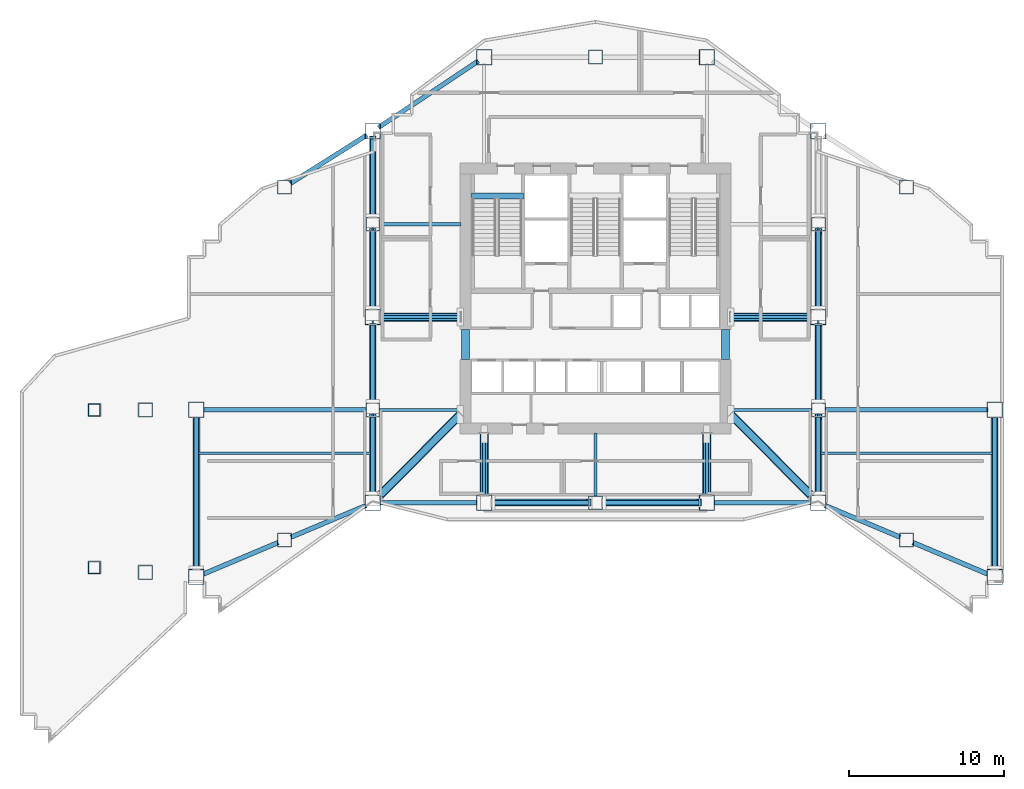
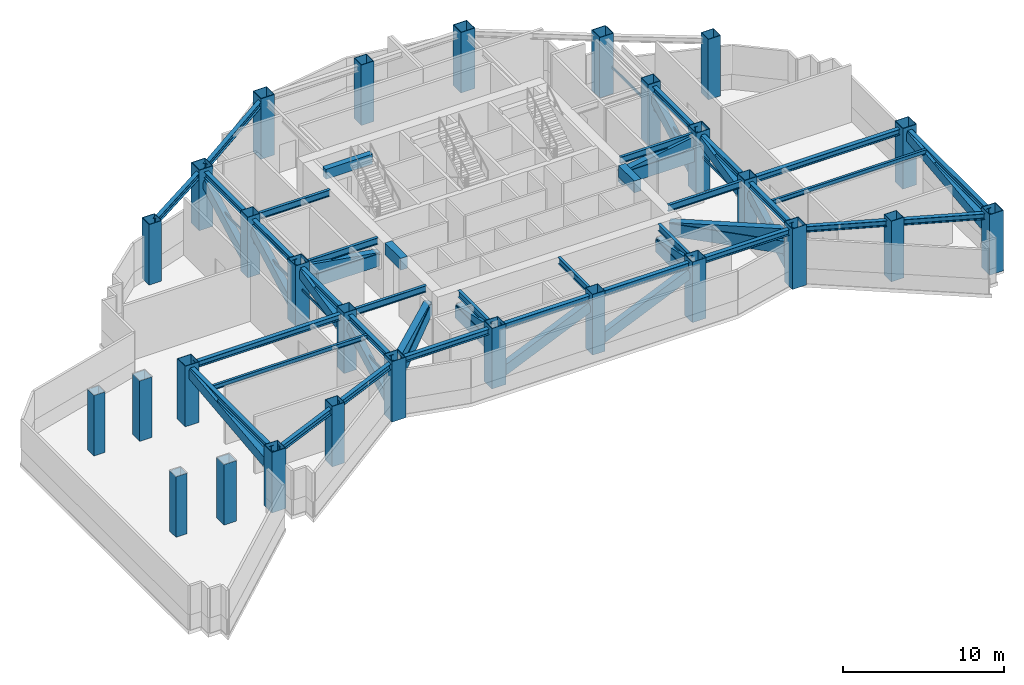
# One storey, part 1 of 24: 40 beams, 28 columns, 19 members.
"""IFC4 building model written with IfcOpenShell, lengths in metres."""

from ifc_helpers import new_model, si_unit, direction, frame, origin, origin_2d, place, context, subcontext, project, spatial, rectangle, hollow_rectangle, i_section, extrude, material, material_profile, profile_set, type_object, element, save


model = new_model("IFC4")

# Units and contexts
model_context = context("Model", 3, precision=1e-05, world=origin(), true_north=direction((0.0, 1.0)))
body_context = subcontext(model_context, "Body", "Model", "MODEL_VIEW")
ifc_project = project(units=[si_unit("LENGTHUNIT", "METRE"), si_unit("AREAUNIT", "SQUARE_METRE"), si_unit("VOLUMEUNIT", "CUBIC_METRE"), si_unit("PLANEANGLEUNIT", "RADIAN"), si_unit("MASSUNIT", "GRAM", prefix="KILO")], contexts=[model_context])

# Site, building, storey
site_placement = place(None, origin())
site = spatial("IfcSite", under=ifc_project, at=site_placement, CompositionType="ELEMENT")
building_placement = place(site_placement, origin())
building = spatial("IfcBuilding", under=site, at=building_placement, Name="Haolan Belvedere Tower", CompositionType="ELEMENT")
storey_placement = place(building_placement, frame((0.0, 0.0, 160.0)))
storey = spatial("IfcBuildingStorey", under=building, at=storey_placement, Name="L40", CompositionType="ELEMENT", Elevation=160.0)

# Columns
ifc_material_1 = material(Name="Steel Q420GJC", Category="steel")
ifc_material_profile_1 = material_profile(ifc_material_1, hollow_rectangle(XDim=1.0, YDim=1.0, WallThickness=0.0380859375, at=origin_2d()), Name="Steel Q420GJC")
ifc_profile_set_1 = profile_set([ifc_material_profile_1], Name="Steel Q420GJC")
column_type_1 = type_object("IfcColumnType", Name="COL-BOX1000x1000x38", PredefinedType="COLUMN", material=ifc_profile_set_1)
for number, where, z_axis, x_axis, name in (
    (1, (24.0, 21.60009765625, 0.0), (0.0, 0.0, 1.0), (1.0, 0.0, 0.0), "L40 column MC-T3-SW (BOX1000x1000x38)"),
    (2, (24.0, 33.60009765625, 0.0), (0.0, 0.0, 1.0), (1.0, 0.0, 0.0), "L40 column MC-T3-MW (BOX1000x1000x38)"),
    (3, (24.0, 45.60009765625, 0.0), (0.0, 0.0, 1.0), (1.0, 0.0, 0.0), "L40 column MC-T3-NW (BOX1000x1000x38)"),
    (4, (52.800048828125, 21.60009765625, 0.0), (0.0, 0.0, 1.0), (1.0, 0.0, 0.0), "L40 column MC-T3-SE (BOX1000x1000x38)"),
    (5, (52.800048828125, 33.60009765625, 0.0), (0.0, 0.0, 1.0), (1.0, 0.0, 0.0), "L40 column MC-T3-ME (BOX1000x1000x38)"),
    (6, (52.800048828125, 45.60009765625, 0.0), (0.0, 0.0, 1.0), (1.0, 0.0, 0.0), "L40 column MC-T3-NE (BOX1000x1000x38)"),
    (7, (31.199951171875, 21.60009765625, 0.0), (0.0, 0.0, 1.0), (1.0, 0.0, 0.0), "L40 column MC-T3-S1 (BOX1000x1000x38)"),
    (8, (45.60009765625, 21.60009765625, 0.0), (0.0, 0.0, 1.0), (1.0, 0.0, 0.0), "L40 column MC-T3-S2 (BOX1000x1000x38)"),
    (9, (31.199951171875, 50.39990234375, 0.0), (0.0, 0.0, 1.0), (1.0, 0.0, 0.0), "L40 column MC-T3-N1 (BOX1000x1000x38)"),
    (10, (45.60009765625, 50.39990234375, 0.0), (0.0, 0.0, 1.0), (1.0, 0.0, 0.0), "L40 column MC-T3-N2 (BOX1000x1000x38)"),
    (11, (12.60009765625, 16.800048828125, 0.0), (0.0, 0.0, 1.0), (1.0, 0.0, 0.0), "L40 column MC-T2-SW (BOX1000x1000x38)"),
    (12, (12.60009765625, 27.60009765625, 0.0), (0.0, 0.0, 1.0), (1.0, 0.0, 0.0), "L40 column MC-T2-MW (BOX1000x1000x38)"),
    (13, (64.199951171875, 16.800048828125, 0.0), (0.0, 0.0, 1.0), (1.0, 0.0, 0.0), "L40 column MC-T4-SE (BOX1000x1000x38)"),
    (14, (64.199951171875, 27.60009765625, 0.0), (0.0, 0.0, 1.0), (1.0, 0.0, 0.0), "L40 column MC-T4-ME (BOX1000x1000x38)"),
):
    element("IfcColumn", number, at=place(storey_placement, frame(where, z_axis=z_axis, x_axis=x_axis)), inside=storey, type_object=column_type_1, Name=name, PredefinedType="COLUMN", context=body_context, shape_type="SweptSolid", body=[
        extrude(hollow_rectangle(XDim=1.0, YDim=1.0, WallThickness=0.0380859375, at=origin_2d()), origin(), (0.0, 0.0, 1.0), 4.60009765625),
    ])
ifc_material_2 = material(Name="Steel Q390GJC", Category="steel")
ifc_material_profile_2 = material_profile(ifc_material_2, hollow_rectangle(XDim=0.800048828125, YDim=0.800048828125, WallThickness=0.030029296875, at=origin_2d()), Name="Steel Q390GJC")
ifc_profile_set_2 = profile_set([ifc_material_profile_2], Name="Steel Q390GJC")
column_type_2 = type_object("IfcColumnType", Name="COL-BOX800x800x30", PredefinedType="COLUMN", material=ifc_profile_set_2)
for number, where, z_axis, x_axis, name in (
    (15, (6.0, 17.39990234375, 0.0), (0.0, 0.0, 1.0), (1.0, 0.0, 0.0), "L40 column MC-T1-SW (BOX800x800x30)"),
    (16, (6.0, 27.60009765625, 0.0), (0.0, 0.0, 1.0), (1.0, 0.0, 0.0), "L40 column MC-T1-NW (BOX800x800x30)"),
):
    element("IfcColumn", number, at=place(storey_placement, frame(where, z_axis=z_axis, x_axis=x_axis)), inside=storey, type_object=column_type_2, Name=name, PredefinedType="COLUMN", context=body_context, shape_type="SweptSolid", body=[
        extrude(hollow_rectangle(XDim=0.800048828125, YDim=0.800048828125, WallThickness=0.030029296875, at=origin_2d()), origin(), (0.0, 0.0, 1.0), 4.60009765625),
    ])
ifc_material_profile_3 = material_profile(ifc_material_2, hollow_rectangle(XDim=0.89990234375, YDim=0.89990234375, WallThickness=0.033935546875, at=origin_2d()), Name="Steel Q390GJC")
ifc_profile_set_3 = profile_set([ifc_material_profile_3], Name="Steel Q390GJC")
column_type_3 = type_object("IfcColumnType", Name="COL-BOX900x900x34", PredefinedType="COLUMN", material=ifc_profile_set_3)
for number, where, z_axis, x_axis, name in (
    (17, (24.0, 27.60009765625, 0.0), (0.0, 0.0, 1.0), (1.0, 0.0, 0.0), "L40 column TC-T3-W1 (BOX900x900x34)"),
    (18, (24.0, 39.60009765625, 0.0), (0.0, 0.0, 1.0), (1.0, 0.0, 0.0), "L40 column TC-T3-W2 (BOX900x900x34)"),
    (19, (52.800048828125, 27.60009765625, 0.0), (0.0, 0.0, 1.0), (1.0, 0.0, 0.0), "L40 column TC-T3-E1 (BOX900x900x34)"),
    (20, (52.800048828125, 39.60009765625, 0.0), (0.0, 0.0, 1.0), (1.0, 0.0, 0.0), "L40 column TC-T3-E2 (BOX900x900x34)"),
    (21, (38.39990234375, 21.60009765625, 0.0), (0.0, 0.0, 1.0), (1.0, 0.0, 0.0), "L40 column TC-T3-SM (BOX900x900x34)"),
    (22, (38.39990234375, 50.39990234375, 0.0), (0.0, 0.0, 1.0), (1.0, 0.0, 0.0), "L40 column TC-T3-NM (BOX900x900x34)"),
    (23, (18.300048828125, 19.199951171875, 0.0), (0.0, 0.0, 1.0), (1.0, 0.0, 0.0), "L40 column TC-T2-S1 (BOX900x900x34)"),
    (24, (18.300048828125, 42.0, 0.0), (0.0, 0.0, 1.0), (1.0, 0.0, 0.0), "L40 column TC-T2-N1 (BOX900x900x34)"),
    (25, (58.5, 19.199951171875, 0.0), (0.0, 0.0, 1.0), (1.0, 0.0, 0.0), "L40 column TC-T4-S1 (BOX900x900x34)"),
    (26, (58.5, 42.0, 0.0), (0.0, 0.0, 1.0), (1.0, 0.0, 0.0), "L40 column TC-T4-N1 (BOX900x900x34)"),
    (27, (9.300048828125, 17.10009765625, 0.0), (0.0, 0.0, 1.0), (1.0, 0.0, 0.0), "L40 column TC-T1-M1 (BOX900x900x34)"),
    (28, (9.300048828125, 27.60009765625, 0.0), (0.0, 0.0, 1.0), (1.0, 0.0, 0.0), "L40 column TC-T1-M2 (BOX900x900x34)"),
):
    element("IfcColumn", number, at=place(storey_placement, frame(where, z_axis=z_axis, x_axis=x_axis)), inside=storey, type_object=column_type_3, Name=name, PredefinedType="COLUMN", context=body_context, shape_type="SweptSolid", body=[
        extrude(hollow_rectangle(XDim=0.89990234375, YDim=0.89990234375, WallThickness=0.033935546875, at=origin_2d()), origin(), (0.0, 0.0, 1.0), 4.60009765625),
    ])

# Beams
ifc_material_profile_4 = material_profile(ifc_material_1, hollow_rectangle(XDim=0.550048828125, YDim=0.949951171875, WallThickness=0.033935546875, at=origin_2d()), Name="Steel Q420GJC")
ifc_profile_set_4 = profile_set([ifc_material_profile_4], Name="Steel Q420GJC")
beam_type_1 = type_object("IfcBeamType", Name="BM-BOX950x550x34", PredefinedType="BEAM", material=ifc_profile_set_4)
beam_1_placement = place(storey_placement, frame((29.679931640625, 33.60009765625, 2.780029296875), z_axis=(-1.0, 0.0, 0.0), x_axis=(0.0, -1.0, 0.0)))
element("IfcBeam", 29, at=beam_1_placement, inside=storey, type_object=beam_type_1, Name="L40 core outrigger lower portal chord OR-W1", PredefinedType="BEAM", context=body_context, shape_type="SweptSolid", body=[
    extrude(hollow_rectangle(XDim=0.550048828125, YDim=0.949951171875, WallThickness=0.033935546875, at=origin_2d()), origin(), (0.0, 0.0, 1.0), 5.2099609375),
])
beam_2_placement = place(storey_placement, frame((29.671142578125, 27.3212890625, 2.780029296875), z_axis=(-0.703974405981, -0.71022534151, 0.0), x_axis=(0.71022534151, -0.703974405981, 0.0)))
element("IfcBeam", 30, at=beam_2_placement, inside=storey, type_object=beam_type_1, Name="L40 core outrigger lower portal chord OR-W2", PredefinedType="BEAM", context=body_context, shape_type="SweptSolid", body=[
    extrude(hollow_rectangle(XDim=0.550048828125, YDim=0.949951171875, WallThickness=0.033935546875, at=origin_2d()), origin(), (0.0, 0.0, 1.0), 7.381591796875),
])
beam_3_placement = place(storey_placement, frame((47.1201171875, 33.60009765625, 2.780029296875), z_axis=(1.0, 0.0, 0.0), x_axis=(0.0, 1.0, 0.0)))
element("IfcBeam", 31, at=beam_3_placement, inside=storey, type_object=beam_type_1, Name="L40 core outrigger lower portal chord OR-E1", PredefinedType="BEAM", context=body_context, shape_type="SweptSolid", body=[
    extrude(hollow_rectangle(XDim=0.550048828125, YDim=0.949951171875, WallThickness=0.033935546875, at=origin_2d()), origin(), (0.0, 0.0, 1.0), 5.2099609375),
])
beam_4_placement = place(storey_placement, frame((47.12890625, 27.3212890625, 2.780029296875), z_axis=(0.703974405981, -0.71022534151, 0.0), x_axis=(0.71022534151, 0.703974405981, 0.0)))
element("IfcBeam", 32, at=beam_4_placement, inside=storey, type_object=beam_type_1, Name="L40 core outrigger lower portal chord OR-E2", PredefinedType="BEAM", context=body_context, shape_type="SweptSolid", body=[
    extrude(hollow_rectangle(XDim=0.550048828125, YDim=0.949951171875, WallThickness=0.033935546875, at=origin_2d()), origin(), (0.0, 0.0, 1.0), 7.381591796875),
])
for number, where, z_axis, x_axis, name in (
    (33, (31.199951171875, 26.080078125, 2.780029296875), (0.0, -1.0, 0.0), (1.0, 0.0, 0.0), "L40 core outrigger lower portal chord OR-S1"),
    (34, (45.60009765625, 26.080078125, 2.780029296875), (0.0, -1.0, 0.0), (1.0, 0.0, 0.0), "L40 core outrigger lower portal chord OR-S2"),
):
    element("IfcBeam", number, at=place(storey_placement, frame(where, z_axis=z_axis, x_axis=x_axis)), inside=storey, type_object=beam_type_1, Name=name, PredefinedType="BEAM", context=body_context, shape_type="SweptSolid", body=[
        extrude(hollow_rectangle(XDim=0.550048828125, YDim=0.949951171875, WallThickness=0.033935546875, at=origin_2d()), origin(), (0.0, 0.0, 1.0), 4.010009765625),
    ])
ifc_material_3 = material(Name="Steel Q355B", Category="steel")
ifc_material_profile_5 = material_profile(ifc_material_3, i_section(OverallWidth=0.300048828125, OverallDepth=0.43994140625, WebThickness=0.010986328125, FlangeThickness=0.01806640625, FilletRadius=0.02392578125, at=origin_2d()), Name="Steel Q355B")
ifc_profile_set_5 = profile_set([ifc_material_profile_5], Name="Steel Q355B")
beam_type_2 = type_object("IfcBeamType", Name="BM-HM440x300x11x18", PredefinedType="SPANDREL", material=ifc_profile_set_5)
for number, where, z_axis, x_axis, name in (
    (35, (24.0, 22.050048828125, 4.1298828125), (0.0, 1.0, 0.0), (-1.0, 0.0, 0.0), "L40 spandrel girder MC-T3-SW-TC-T3-W1"),
    (36, (24.0, 28.050048828125, 4.1298828125), (0.0, 1.0, 0.0), (-1.0, 0.0, 0.0), "L40 spandrel girder TC-T3-W1-MC-T3-MW"),
    (37, (24.0, 34.050048828125, 4.1298828125), (0.0, 1.0, 0.0), (-1.0, 0.0, 0.0), "L40 spandrel girder MC-T3-MW-TC-T3-W2"),
    (38, (24.0, 40.050048828125, 4.1298828125), (0.0, 1.0, 0.0), (-1.0, 0.0, 0.0), "L40 spandrel girder TC-T3-W2-MC-T3-NW"),
    (39, (52.800048828125, 22.050048828125, 4.1298828125), (0.0, 1.0, 0.0), (-1.0, 0.0, 0.0), "L40 spandrel girder MC-T3-SE-TC-T3-E1"),
    (40, (52.800048828125, 28.050048828125, 4.1298828125), (0.0, 1.0, 0.0), (-1.0, 0.0, 0.0), "L40 spandrel girder TC-T3-E1-MC-T3-ME"),
    (41, (52.800048828125, 34.050048828125, 4.1298828125), (0.0, 1.0, 0.0), (-1.0, 0.0, 0.0), "L40 spandrel girder MC-T3-ME-TC-T3-E2"),
):
    element("IfcBeam", number, at=place(storey_placement, frame(where, z_axis=z_axis, x_axis=x_axis)), inside=storey, type_object=beam_type_2, Name=name, PredefinedType="SPANDREL", context=body_context, shape_type="SweptSolid", body=[
        extrude(i_section(OverallWidth=0.300048828125, OverallDepth=0.43994140625, WebThickness=0.010986328125, FlangeThickness=0.01806640625, FilletRadius=0.02392578125, at=origin_2d()), origin(), (0.0, 0.0, 1.0), 5.099853515625),
    ])
for number, where, z_axis, x_axis, name in (
    (42, (24.449951171875, 21.60009765625, 4.1298828125), (1.0, 0.0, 0.0), (0.0, 1.0, 0.0), "L40 spandrel girder MC-T3-SW-MC-T3-S1"),
    (43, (31.64990234375, 21.60009765625, 4.1298828125), (1.0, 0.0, 0.0), (0.0, 1.0, 0.0), "L40 spandrel girder MC-T3-S1-TC-T3-SM"),
):
    element("IfcBeam", number, at=place(storey_placement, frame(where, z_axis=z_axis, x_axis=x_axis)), inside=storey, type_object=beam_type_2, Name=name, PredefinedType="SPANDREL", context=body_context, shape_type="SweptSolid", body=[
        extrude(i_section(OverallWidth=0.300048828125, OverallDepth=0.43994140625, WebThickness=0.010986328125, FlangeThickness=0.01806640625, FilletRadius=0.02392578125, at=origin_2d()), origin(), (0.0, 0.0, 1.0), 6.300048828125),
    ])
beam_5_placement = place(storey_placement, frame((38.85009765625, 21.60009765625, 4.1298828125), z_axis=(1.0, 0.0, 0.0), x_axis=(0.0, 1.0, 0.0)))
element("IfcBeam", 44, at=beam_5_placement, inside=storey, type_object=beam_type_2, Name="L40 spandrel girder TC-T3-SM-MC-T3-S2", PredefinedType="SPANDREL", context=body_context, shape_type="SweptSolid", body=[
    extrude(i_section(OverallWidth=0.300048828125, OverallDepth=0.43994140625, WebThickness=0.010986328125, FlangeThickness=0.01806640625, FilletRadius=0.02392578125, at=origin_2d()), origin(), (0.0, 0.0, 1.0), 6.2998046875),
])
beam_6_placement = place(storey_placement, frame((46.050048828125, 21.60009765625, 4.1298828125), z_axis=(1.0, 0.0, 0.0), x_axis=(0.0, 1.0, 0.0)))
element("IfcBeam", 45, at=beam_6_placement, inside=storey, type_object=beam_type_2, Name="L40 spandrel girder MC-T3-S2-MC-T3-SE", PredefinedType="SPANDREL", context=body_context, shape_type="SweptSolid", body=[
    extrude(i_section(OverallWidth=0.300048828125, OverallDepth=0.43994140625, WebThickness=0.010986328125, FlangeThickness=0.01806640625, FilletRadius=0.02392578125, at=origin_2d()), origin(), (0.0, 0.0, 1.0), 6.300048828125),
])
beam_7_placement = place(storey_placement, frame((24.37451171875, 45.849609375, 4.1298828125), z_axis=(0.832050294338, 0.554700196225, 0.0), x_axis=(-0.554700196225, 0.832050294338, 0.0)))
element("IfcBeam", 46, at=beam_7_placement, inside=storey, type_object=beam_type_2, Name="L40 spandrel girder MC-T3-NW-MC-T3-N1", PredefinedType="SPANDREL", context=body_context, shape_type="SweptSolid", body=[
    extrude(i_section(OverallWidth=0.300048828125, OverallDepth=0.43994140625, WebThickness=0.010986328125, FlangeThickness=0.01806640625, FilletRadius=0.02392578125, at=origin_2d()), origin(), (0.0, 0.0, 1.0), 7.75341796875),
])
beam_8_placement = place(storey_placement, frame((12.60009765625, 17.25, 4.1298828125), z_axis=(0.0, 1.0, 0.0), x_axis=(-1.0, 0.0, 0.0)))
element("IfcBeam", 47, at=beam_8_placement, inside=storey, type_object=beam_type_2, Name="L40 spandrel girder MC-T2-SW-MC-T2-MW", PredefinedType="SPANDREL", context=body_context, shape_type="SweptSolid", body=[
    extrude(i_section(OverallWidth=0.300048828125, OverallDepth=0.43994140625, WebThickness=0.010986328125, FlangeThickness=0.01806640625, FilletRadius=0.02392578125, at=origin_2d()), origin(), (0.0, 0.0, 1.0), 9.89990234375),
])
beam_9_placement = place(storey_placement, frame((13.0146484375, 16.974609375, 4.1298828125), z_axis=(0.921635375138, 0.388057000058, 0.0), x_axis=(-0.388057000058, 0.921635375138, 0.0)))
element("IfcBeam", 48, at=beam_9_placement, inside=storey, type_object=beam_type_2, Name="L40 spandrel girder MC-T2-SW-TC-T2-S1", PredefinedType="SPANDREL", context=body_context, shape_type="SweptSolid", body=[
    extrude(i_section(OverallWidth=0.300048828125, OverallDepth=0.43994140625, WebThickness=0.010986328125, FlangeThickness=0.01806640625, FilletRadius=0.02392578125, at=origin_2d()), origin(), (0.0, 0.0, 1.0), 5.28466796875),
])
beam_10_placement = place(storey_placement, frame((18.71484375, 19.37451171875, 4.1298828125), z_axis=(0.92162841793, 0.388073523014, 0.0), x_axis=(-0.388073523014, 0.92162841793, 0.0)))
element("IfcBeam", 49, at=beam_10_placement, inside=storey, type_object=beam_type_2, Name="L40 spandrel girder TC-T2-S1-MC-T3-SW", PredefinedType="SPANDREL", context=body_context, shape_type="SweptSolid", body=[
    extrude(i_section(OverallWidth=0.300048828125, OverallDepth=0.43994140625, WebThickness=0.010986328125, FlangeThickness=0.01806640625, FilletRadius=0.02392578125, at=origin_2d()), origin(), (0.0, 0.0, 1.0), 5.284423828125),
])
beam_11_placement = place(storey_placement, frame((18.680419921875, 42.240234375, 4.1298828125), z_axis=(0.845497840649, 0.533978839898, 0.0), x_axis=(-0.533978839898, 0.845497840649, 0.0)))
element("IfcBeam", 50, at=beam_11_placement, inside=storey, type_object=beam_type_2, Name="L40 spandrel girder TC-T2-N1-MC-T3-NW", PredefinedType="SPANDREL", context=body_context, shape_type="SweptSolid", body=[
    extrude(i_section(OverallWidth=0.300048828125, OverallDepth=0.43994140625, WebThickness=0.010986328125, FlangeThickness=0.01806640625, FilletRadius=0.02392578125, at=origin_2d()), origin(), (0.0, 0.0, 1.0), 5.841796875),
])
beam_12_placement = place(storey_placement, frame((13.050048828125, 27.60009765625, 4.1298828125), z_axis=(1.0, 0.0, 0.0), x_axis=(0.0, 1.0, 0.0)))
element("IfcBeam", 51, at=beam_12_placement, inside=storey, type_object=beam_type_2, Name="L40 spandrel girder MC-T2-MW-TC-T3-W1", PredefinedType="SPANDREL", context=body_context, shape_type="SweptSolid", body=[
    extrude(i_section(OverallWidth=0.300048828125, OverallDepth=0.43994140625, WebThickness=0.010986328125, FlangeThickness=0.01806640625, FilletRadius=0.02392578125, at=origin_2d()), origin(), (0.0, 0.0, 1.0), 10.5),
])
beam_13_placement = place(storey_placement, frame((64.199951171875, 17.25, 4.1298828125), z_axis=(0.0, 1.0, 0.0), x_axis=(-1.0, 0.0, 0.0)))
element("IfcBeam", 52, at=beam_13_placement, inside=storey, type_object=beam_type_2, Name="L40 spandrel girder MC-T4-SE-MC-T4-ME", PredefinedType="SPANDREL", context=body_context, shape_type="SweptSolid", body=[
    extrude(i_section(OverallWidth=0.300048828125, OverallDepth=0.43994140625, WebThickness=0.010986328125, FlangeThickness=0.01806640625, FilletRadius=0.02392578125, at=origin_2d()), origin(), (0.0, 0.0, 1.0), 9.89990234375),
])
for number, where, z_axis, x_axis, name in (
    (53, (53.21484375, 21.42529296875, 4.1298828125), (0.92162841793, -0.388073523014, 0.0), (0.388073523014, 0.92162841793, 0.0), "L40 spandrel girder MC-T3-SE-TC-T4-S1"),
    (54, (58.914794921875, 19.025390625, 4.1298828125), (0.92162841793, -0.388073523014, 0.0), (0.388073523014, 0.92162841793, 0.0), "L40 spandrel girder TC-T4-S1-MC-T4-SE"),
):
    element("IfcBeam", number, at=place(storey_placement, frame(where, z_axis=z_axis, x_axis=x_axis)), inside=storey, type_object=beam_type_2, Name=name, PredefinedType="SPANDREL", context=body_context, shape_type="SweptSolid", body=[
        extrude(i_section(OverallWidth=0.300048828125, OverallDepth=0.43994140625, WebThickness=0.010986328125, FlangeThickness=0.01806640625, FilletRadius=0.02392578125, at=origin_2d()), origin(), (0.0, 0.0, 1.0), 5.284423828125),
    ])
beam_14_placement = place(storey_placement, frame((53.25, 27.60009765625, 4.1298828125), z_axis=(1.0, 0.0, 0.0), x_axis=(0.0, 1.0, 0.0)))
element("IfcBeam", 55, at=beam_14_placement, inside=storey, type_object=beam_type_2, Name="L40 spandrel girder TC-T3-E1-MC-T4-ME", PredefinedType="SPANDREL", context=body_context, shape_type="SweptSolid", body=[
    extrude(i_section(OverallWidth=0.300048828125, OverallDepth=0.43994140625, WebThickness=0.010986328125, FlangeThickness=0.01806640625, FilletRadius=0.02392578125, at=origin_2d()), origin(), (0.0, 0.0, 1.0), 10.5),
])
ifc_material_profile_6 = material_profile(ifc_material_3, i_section(OverallWidth=0.175048828125, OverallDepth=0.35009765625, WebThickness=0.007080078125, FlangeThickness=0.010986328125, FilletRadius=0.012939453125, at=origin_2d()), Name="Steel Q355B")
ifc_profile_set_6 = profile_set([ifc_material_profile_6], Name="Steel Q355B")
beam_type_3 = type_object("IfcBeamType", Name="BM-HN350x175x7x11", PredefinedType="JOIST", material=ifc_profile_set_6)
for number, where, z_axis, x_axis, name in (
    (56, (12.75, 24.800048828125, 4.175048828125), (1.0, 0.0, 0.0), (0.0, 1.0, 0.0), "L40 west wing floor joist 1"),
    (57, (52.949951171875, 24.800048828125, 4.175048828125), (1.0, 0.0, 0.0), (0.0, 1.0, 0.0), "L40 east wing floor joist 1"),
):
    element("IfcBeam", number, at=place(storey_placement, frame(where, z_axis=z_axis, x_axis=x_axis)), inside=storey, type_object=beam_type_3, Name=name, PredefinedType="JOIST", context=body_context, shape_type="SweptSolid", body=[
        extrude(i_section(OverallWidth=0.175048828125, OverallDepth=0.35009765625, WebThickness=0.007080078125, FlangeThickness=0.010986328125, FilletRadius=0.012939453125, at=origin_2d()), origin(), (0.0, 0.0, 1.0), 11.10009765625),
    ])
ifc_material_profile_7 = material_profile(ifc_material_3, i_section(OverallWidth=0.199951171875, OverallDepth=0.5, WebThickness=0.010009765625, FlangeThickness=0.01611328125, FilletRadius=0.02001953125, at=origin_2d()), Name="Steel Q355B")
ifc_profile_set_7 = profile_set([ifc_material_profile_7], Name="Steel Q355B")
beam_type_4 = type_object("IfcBeamType", Name="BM-HN500x200x10x16", PredefinedType="BEAM", material=ifc_profile_set_7)
for number, where, z_axis, x_axis, name in (
    (58, (24.449951171875, 33.60009765625, 4.10009765625), (1.0, 0.0, 0.0), (0.0, 1.0, 0.0), "L40 core tie beam from MC-T3-MW"),
    (59, (24.449951171875, 27.60009765625, 4.10009765625), (1.0, 0.0, 0.0), (0.0, 1.0, 0.0), "L40 core tie beam from TC-T3-W1"),
    (60, (24.449951171875, 39.60009765625, 4.10009765625), (1.0, 0.0, 0.0), (0.0, 1.0, 0.0), "L40 core tie beam from TC-T3-W2"),
    (61, (52.35009765625, 33.60009765625, 4.10009765625), (-1.0, 0.0, 0.0), (0.0, -1.0, 0.0), "L40 core tie beam from MC-T3-ME"),
    (62, (52.35009765625, 27.60009765625, 4.10009765625), (-1.0, 0.0, 0.0), (0.0, -1.0, 0.0), "L40 core tie beam from TC-T3-E1"),
):
    element("IfcBeam", number, at=place(storey_placement, frame(where, z_axis=z_axis, x_axis=x_axis)), inside=storey, type_object=beam_type_4, Name=name, PredefinedType="BEAM", context=body_context, shape_type="SweptSolid", body=[
        extrude(i_section(OverallWidth=0.199951171875, OverallDepth=0.5, WebThickness=0.010009765625, FlangeThickness=0.01611328125, FilletRadius=0.02001953125, at=origin_2d()), origin(), (0.0, 0.0, 1.0), 5.25),
    ])
for number, where, z_axis, x_axis, name in (
    (63, (31.199951171875, 22.050048828125, 4.10009765625), (0.0, 1.0, 0.0), (-1.0, 0.0, 0.0), "L40 core tie beam from MC-T3-S1"),
    (64, (38.39990234375, 22.050048828125, 4.10009765625), (0.0, 1.0, 0.0), (-1.0, 0.0, 0.0), "L40 core tie beam from TC-T3-SM"),
    (65, (45.60009765625, 22.050048828125, 4.10009765625), (0.0, 1.0, 0.0), (-1.0, 0.0, 0.0), "L40 core tie beam from MC-T3-S2"),
):
    element("IfcBeam", number, at=place(storey_placement, frame(where, z_axis=z_axis, x_axis=x_axis)), inside=storey, type_object=beam_type_4, Name=name, PredefinedType="BEAM", context=body_context, shape_type="SweptSolid", body=[
        extrude(i_section(OverallWidth=0.199951171875, OverallDepth=0.5, WebThickness=0.010009765625, FlangeThickness=0.01611328125, FilletRadius=0.02001953125, at=origin_2d()), origin(), (0.0, 0.0, 1.0), 4.050048828125),
    ])
ifc_material_4 = material(Name="Concrete C50/60", Category="concrete")
ifc_material_profile_8 = material_profile(ifc_material_4, rectangle(XDim=0.39990234375, YDim=0.75, at=origin_2d()), Name="Concrete C50/60")
ifc_profile_set_8 = profile_set([ifc_material_profile_8], Name="Concrete C50/60")
beam_type_5 = type_object("IfcBeamType", Name="BM-RC400x750", PredefinedType="T_BEAM", material=ifc_profile_set_8)
beam_15_placement = place(storey_placement, frame((30.3798828125, 41.429931640625, 4.22509765625), z_axis=(1.0, 0.0, 0.0), x_axis=(0.0, 1.0, 0.0)))
element("IfcBeam", 66, at=beam_15_placement, inside=storey, type_object=beam_type_5, Name="L41 stair ST1 RC header trimmer beam", PredefinedType="BEAM", context=body_context, shape_type="SweptSolid", body=[
    extrude(rectangle(XDim=0.39990234375, YDim=0.75, at=origin_2d()), origin(), (0.0, 0.0, 1.0), 3.360107421875),
])
ifc_material_5 = material(Name="Concrete C60/75", Category="concrete")
ifc_material_profile_9 = material_profile(ifc_material_5, rectangle(XDim=0.5, YDim=0.89990234375, at=origin_2d()), Name="Concrete C60/75")
ifc_profile_set_9 = profile_set([ifc_material_profile_9], Name="Concrete C60/75")
beam_type_6 = type_object("IfcBeamType", Name="BM-RC500x900", PredefinedType="LINTEL", material=ifc_profile_set_9)
for number, where, z_axis, x_axis, name in (
    (67, (30.0, 30.85009765625, 3.89990234375), (0.0, 1.0, 0.0), (-1.0, 0.0, 0.0), "L40 west core coupling beam CB-01"),
    (68, (46.800048828125, 30.85009765625, 3.89990234375), (0.0, 1.0, 0.0), (-1.0, 0.0, 0.0), "L40 east core coupling beam CB-01"),
):
    element("IfcBeam", number, at=place(storey_placement, frame(where, z_axis=z_axis, x_axis=x_axis)), inside=storey, type_object=beam_type_6, Name=name, PredefinedType="LINTEL", context=body_context, shape_type="SweptSolid", body=[
        extrude(rectangle(XDim=0.5, YDim=0.89990234375, at=origin_2d()), origin(), (0.0, 0.0, 1.0), 1.949951171875),
    ])

# Members
ifc_material_profile_10 = material_profile(ifc_material_2, hollow_rectangle(XDim=0.449951171875, YDim=0.75, WallThickness=0.028076171875, at=origin_2d()), Name="Steel Q390GJC")
ifc_profile_set_10 = profile_set([ifc_material_profile_10], Name="Steel Q390GJC")
member_type_1 = type_object("IfcMemberType", Name="MEM-BOX750x450x28", PredefinedType="BRACE", material=ifc_profile_set_10)
member_1_placement = place(storey_placement, frame((29.679931640625, 33.60009765625, 2.919921875), z_axis=(-0.986338904149, 0.0, 0.164728765435), x_axis=(0.0, -1.0, 0.0)))
element("IfcMember", 69, at=member_1_placement, inside=storey, type_object=member_type_1, Name="L40 core outrigger brace OR-W1", PredefinedType="BRACE", context=body_context, shape_type="SweptSolid", body=[
    extrude(hollow_rectangle(XDim=0.449951171875, YDim=0.75, WallThickness=0.028076171875, at=origin_2d()), origin(), (0.0, 0.0, 1.0), 5.2822265625),
])
member_2_placement = place(storey_placement, frame((29.671142578125, 27.3212890625, 2.919921875), z_axis=(-0.69913411414, -0.705342070333, 0.117064316786), x_axis=(0.71022534151, -0.703974405981, 0.0)))
element("IfcMember", 70, at=member_2_placement, inside=storey, type_object=member_type_1, Name="L40 core outrigger brace OR-W2", PredefinedType="BRACE", context=body_context, shape_type="SweptSolid", body=[
    extrude(hollow_rectangle(XDim=0.449951171875, YDim=0.75, WallThickness=0.028076171875, at=origin_2d()), origin(), (0.0, 0.0, 1.0), 7.432861328125),
])
member_3_placement = place(storey_placement, frame((47.1201171875, 33.60009765625, 2.919921875), z_axis=(0.986338904149, 0.0, 0.164728765435), x_axis=(0.0, 1.0, 0.0)))
element("IfcMember", 71, at=member_3_placement, inside=storey, type_object=member_type_1, Name="L40 core outrigger brace OR-E1", PredefinedType="BRACE", context=body_context, shape_type="SweptSolid", body=[
    extrude(hollow_rectangle(XDim=0.449951171875, YDim=0.75, WallThickness=0.028076171875, at=origin_2d()), origin(), (0.0, 0.0, 1.0), 5.2822265625),
])
member_4_placement = place(storey_placement, frame((47.12890625, 27.3212890625, 2.919921875), z_axis=(0.69913411414, -0.705342070333, 0.117064316786), x_axis=(0.71022534151, 0.703974405981, 0.0)))
element("IfcMember", 72, at=member_4_placement, inside=storey, type_object=member_type_1, Name="L40 core outrigger brace OR-E2", PredefinedType="BRACE", context=body_context, shape_type="SweptSolid", body=[
    extrude(hollow_rectangle(XDim=0.449951171875, YDim=0.75, WallThickness=0.028076171875, at=origin_2d()), origin(), (0.0, 0.0, 1.0), 7.432861328125),
])
for number, where, z_axis, x_axis, name in (
    (73, (31.199951171875, 26.080078125, 2.919921875), (0.0, -0.977258449949, 0.212051696537), (1.0, 0.0, 0.0), "L40 core outrigger brace OR-S1"),
    (74, (45.60009765625, 26.080078125, 2.919921875), (0.0, -0.977258449949, 0.212051696537), (1.0, 0.0, 0.0), "L40 core outrigger brace OR-S2"),
):
    element("IfcMember", number, at=place(storey_placement, frame(where, z_axis=z_axis, x_axis=x_axis)), inside=storey, type_object=member_type_1, Name=name, PredefinedType="BRACE", context=body_context, shape_type="SweptSolid", body=[
        extrude(hollow_rectangle(XDim=0.449951171875, YDim=0.75, WallThickness=0.028076171875, at=origin_2d()), origin(), (0.0, 0.0, 1.0), 4.103271484375),
    ])
member_5_placement = place(storey_placement, frame((24.0, 22.090087890625, 0.800048828125), z_axis=(0.0, 0.879012611775, 0.476798519649), x_axis=(-1.0, 0.0, 0.0)))
element("IfcMember", 75, at=member_5_placement, inside=storey, type_object=member_type_1, Name="L40 belt truss diagonal BT-W1", PredefinedType="BRACE", context=body_context, shape_type="SweptSolid", body=[
    extrude(hollow_rectangle(XDim=0.449951171875, YDim=0.75, WallThickness=0.028076171875, at=origin_2d()), origin(), (0.0, 0.0, 1.0), 5.767578125),
])
member_6_placement = place(storey_placement, frame((24.0, 28.0400390625, 2.820068359375), z_axis=(0.0, 0.97686839865, 0.213841370456), x_axis=(-1.0, 0.0, 0.0)))
element("IfcMember", 76, at=member_6_placement, inside=storey, type_object=member_type_1, Name="L40 belt truss diagonal BT-W2", PredefinedType="BRACE", context=body_context, shape_type="SweptSolid", body=[
    extrude(hollow_rectangle(XDim=0.449951171875, YDim=0.75, WallThickness=0.028076171875, at=origin_2d()), origin(), (0.0, 0.0, 1.0), 5.190185546875),
])
member_7_placement = place(storey_placement, frame((24.0, 34.090087890625, 0.800048828125), z_axis=(0.0, 0.879012611775, 0.476798519649), x_axis=(-1.0, 0.0, 0.0)))
element("IfcMember", 77, at=member_7_placement, inside=storey, type_object=member_type_1, Name="L40 belt truss diagonal BT-W3", PredefinedType="BRACE", context=body_context, shape_type="SweptSolid", body=[
    extrude(hollow_rectangle(XDim=0.449951171875, YDim=0.75, WallThickness=0.028076171875, at=origin_2d()), origin(), (0.0, 0.0, 1.0), 5.767578125),
])
member_8_placement = place(storey_placement, frame((24.0, 40.0400390625, 0.800048828125), z_axis=(0.0, 0.879022234273, 0.476780779451), x_axis=(-1.0, 0.0, 0.0)))
element("IfcMember", 78, at=member_8_placement, inside=storey, type_object=member_type_1, Name="L40 belt truss diagonal BT-W4", PredefinedType="BRACE", context=body_context, shape_type="SweptSolid", body=[
    extrude(hollow_rectangle(XDim=0.449951171875, YDim=0.75, WallThickness=0.028076171875, at=origin_2d()), origin(), (0.0, 0.0, 1.0), 5.767822265625),
])
member_9_placement = place(storey_placement, frame((52.800048828125, 22.090087890625, 0.800048828125), z_axis=(0.0, 0.879012611775, 0.476798519649), x_axis=(-1.0, 0.0, 0.0)))
element("IfcMember", 79, at=member_9_placement, inside=storey, type_object=member_type_1, Name="L40 belt truss diagonal BT-E1", PredefinedType="BRACE", context=body_context, shape_type="SweptSolid", body=[
    extrude(hollow_rectangle(XDim=0.449951171875, YDim=0.75, WallThickness=0.028076171875, at=origin_2d()), origin(), (0.0, 0.0, 1.0), 5.767578125),
])
member_10_placement = place(storey_placement, frame((52.800048828125, 28.0400390625, 2.820068359375), z_axis=(0.0, 0.97686839865, 0.213841370456), x_axis=(-1.0, 0.0, 0.0)))
element("IfcMember", 80, at=member_10_placement, inside=storey, type_object=member_type_1, Name="L40 belt truss diagonal BT-E2", PredefinedType="BRACE", context=body_context, shape_type="SweptSolid", body=[
    extrude(hollow_rectangle(XDim=0.449951171875, YDim=0.75, WallThickness=0.028076171875, at=origin_2d()), origin(), (0.0, 0.0, 1.0), 5.190185546875),
])
member_11_placement = place(storey_placement, frame((52.800048828125, 34.090087890625, 0.800048828125), z_axis=(0.0, 0.879012611775, 0.476798519649), x_axis=(-1.0, 0.0, 0.0)))
element("IfcMember", 81, at=member_11_placement, inside=storey, type_object=member_type_1, Name="L40 belt truss diagonal BT-E3", PredefinedType="BRACE", context=body_context, shape_type="SweptSolid", body=[
    extrude(hollow_rectangle(XDim=0.449951171875, YDim=0.75, WallThickness=0.028076171875, at=origin_2d()), origin(), (0.0, 0.0, 1.0), 5.767578125),
])
for number, where, z_axis, x_axis, name in (
    (82, (31.68994140625, 21.60009765625, 0.800048828125), (0.915788669025, 0.0, 0.401660445756), (0.0, 1.0, 0.0), "L40 belt truss diagonal BT-S1"),
    (83, (38.840087890625, 21.60009765625, 0.800048828125), (0.915788669025, 0.0, 0.401660445756), (0.0, 1.0, 0.0), "L40 belt truss diagonal BT-S2"),
):
    element("IfcMember", number, at=place(storey_placement, frame(where, z_axis=z_axis, x_axis=x_axis)), inside=storey, type_object=member_type_1, Name=name, PredefinedType="BRACE", context=body_context, shape_type="SweptSolid", body=[
        extrude(hollow_rectangle(XDim=0.449951171875, YDim=0.75, WallThickness=0.028076171875, at=origin_2d()), origin(), (0.0, 0.0, 1.0), 6.8466796875),
    ])
for number, where, z_axis, x_axis, name in (
    (84, (12.60009765625, 17.2900390625, 2.820068359375), (0.0, 0.993673791293, 0.112304926416), (-1.0, 0.0, 0.0), "L40 belt truss diagonal BT-T2"),
    (85, (64.199951171875, 17.2900390625, 2.820068359375), (0.0, 0.993673791293, 0.112304926416), (-1.0, 0.0, 0.0), "L40 belt truss diagonal BT-T4"),
):
    element("IfcMember", number, at=place(storey_placement, frame(where, z_axis=z_axis, x_axis=x_axis)), inside=storey, type_object=member_type_1, Name=name, PredefinedType="BRACE", context=body_context, shape_type="SweptSolid", body=[
        extrude(hollow_rectangle(XDim=0.449951171875, YDim=0.75, WallThickness=0.028076171875, at=origin_2d()), origin(), (0.0, 0.0, 1.0), 9.882568359375),
    ])
ifc_material_profile_11 = material_profile(ifc_material_3, hollow_rectangle(XDim=0.080078125, YDim=0.179931640625, WallThickness=0.006103515625, at=origin_2d()), Name="Steel Q355B")
ifc_profile_set_11 = profile_set([ifc_material_profile_11], Name="Steel Q355B")
member_type_2 = type_object("IfcMemberType", Name="MEM-RHS180x80x6", PredefinedType="CHORD", material=ifc_profile_set_11)
for number, where, z_axis, x_axis, name in (
    (86, (24.0, 22.800048828125, 2.60009765625), (0.0, 1.0, 0.0), (-1.0, 0.0, 0.0), "L40 refuge louvre structural girt chord GW"),
    (87, (52.800048828125, 22.800048828125, 2.60009765625), (0.0, 1.0, 0.0), (-1.0, 0.0, 0.0), "L40 refuge louvre structural girt chord GE"),
):
    element("IfcMember", number, at=place(storey_placement, frame(where, z_axis=z_axis, x_axis=x_axis)), inside=storey, type_object=member_type_2, Name=name, PredefinedType="STRUT", context=body_context, shape_type="SweptSolid", body=[
        extrude(hollow_rectangle(XDim=0.080078125, YDim=0.179931640625, WallThickness=0.006103515625, at=origin_2d()), origin(), (0.0, 0.0, 1.0), 21.599853515625),
    ])

save(model, "model.ifc")
